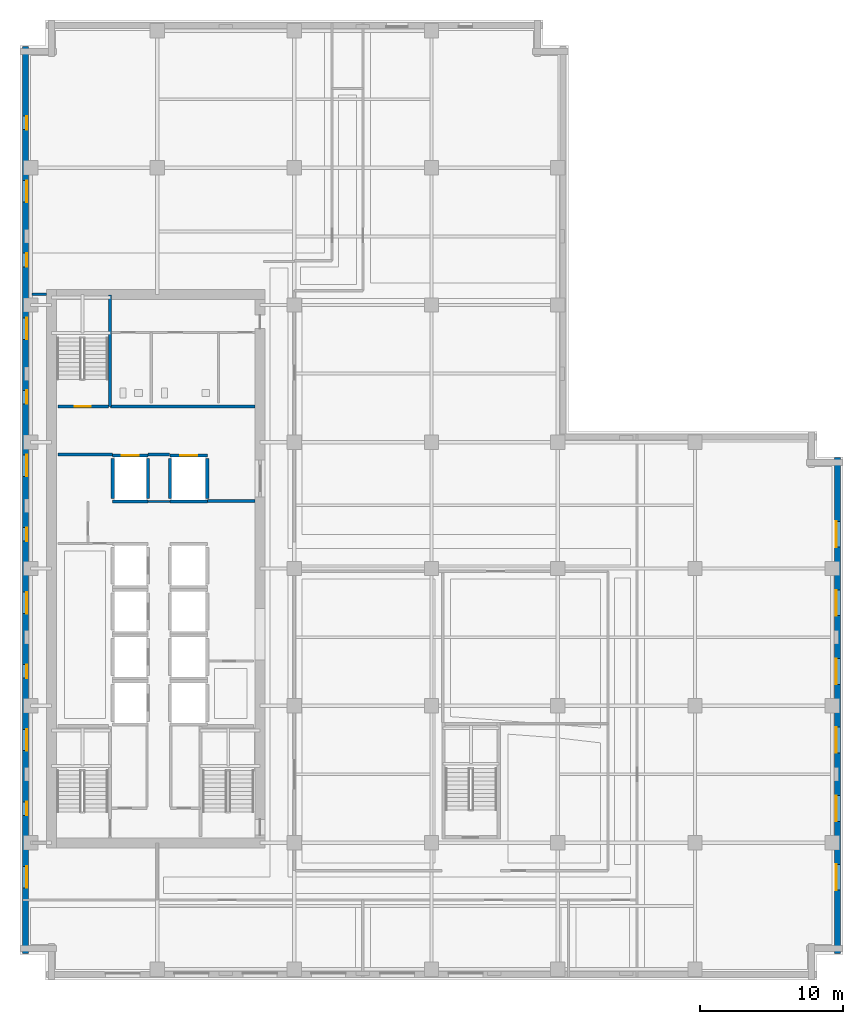
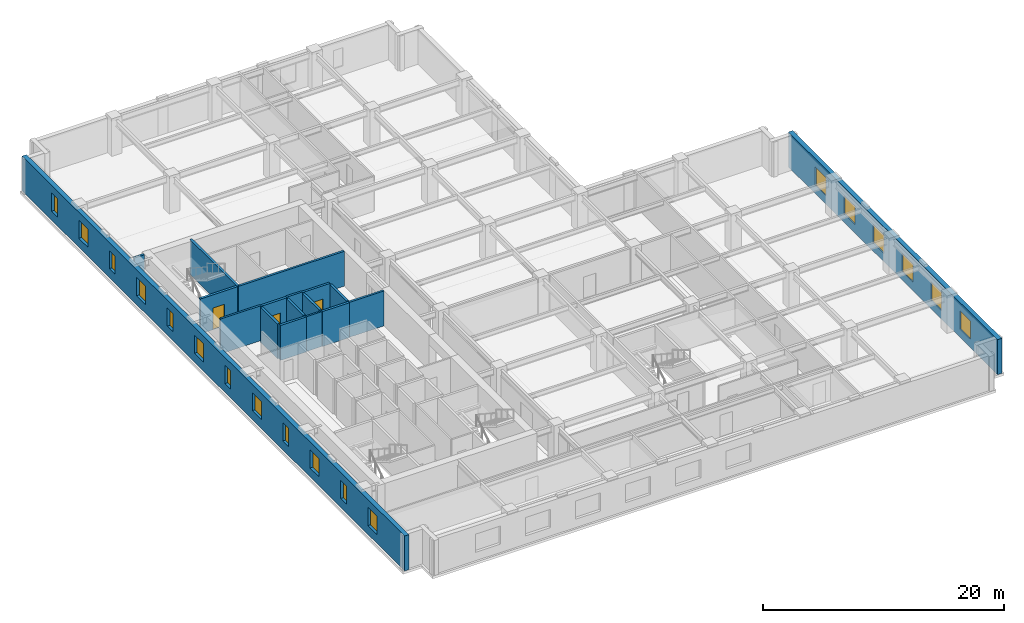
# One storey, part 6 of 13: 18 walls, 18 windows, 3 doors, 21 openings.
"""IFC4 building model written with IfcOpenShell, lengths in metres."""

from ifc_helpers import new_model, si_unit, direction, frame, frame_2d, origin, place, context, subcontext, project, spatial, rectangle, extrude, material, layer, layer_set, type_object, element, fill, save


model = new_model("IFC4")

# Units and contexts
model_context = context("Model", 3, precision=1e-05, world=origin(), true_north=direction((0.0, 1.0)))
body_context = subcontext(model_context, "Body", "Model", "MODEL_VIEW")
ifc_project = project(units=[si_unit("LENGTHUNIT", "METRE"), si_unit("AREAUNIT", "SQUARE_METRE"), si_unit("VOLUMEUNIT", "CUBIC_METRE"), si_unit("PLANEANGLEUNIT", "RADIAN"), si_unit("MASSUNIT", "GRAM", prefix="KILO")], contexts=[model_context])

# Site, building, storey
site_placement = place(None, origin())
site = spatial("IfcSite", under=ifc_project, at=site_placement, CompositionType="ELEMENT")
building_placement = place(site_placement, origin())
building = spatial("IfcBuilding", under=site, at=building_placement, Name="Norrvale University Quadrangle", CompositionType="ELEMENT")
storey_placement = place(building_placement, frame((0.0, 0.0, 131.800048828125)))
storey = spatial("IfcBuildingStorey", under=building, at=storey_placement, Name="L33", CompositionType="ELEMENT", Elevation=131.800048828125)

# Wall, openings, windows
ifc_material_1 = material(Name="Buff Norman Clay Brick Masonry", Category="masonry")
ifc_layer_1 = layer(ifc_material_1, 0.419921875, Name="Buff Norman Clay Brick Masonry")
ifc_layer_set_1 = layer_set([ifc_layer_1], Name="Buff Norman Clay Brick Masonry")
wall_type_1 = type_object("IfcWallType", Name="Wall Buff Brick 420", PredefinedType="SOLIDWALL", material=ifc_layer_set_1)
wall_1_placement = place(storey_placement, frame((57.2099609375, 1.840087890625, 0.0), z_axis=(0.0, 0.0, 1.0), x_axis=(0.0, 1.0, 0.0)))
wall_1 = element("IfcWall", 1, at=wall_1_placement, inside=storey, type_object=wall_type_1, Name="Exterior Brick Facade Wall L33-04.1", PredefinedType="SOLIDWALL", context=body_context, shape_type="SweptSolid", body=[
    extrude(rectangle(XDim=34.719970703125, YDim=0.419921875, at=frame_2d((17.35986328125, 0.0))), origin(), (0.0, 0.0, 1.0), 3.5400390625),
])
opening_1_placement = place(wall_1_placement, frame((4.4599609375, 0.0, 0.85009765625)))
opening_1 = element("IfcOpeningElement", 2, at=opening_1_placement, cuts=wall_1, Name="Opening W01", PredefinedType="OPENING", context=body_context, shape_type="SweptSolid", body=[
    extrude(rectangle(XDim=1.800048828125, YDim=1.85009765625, at=frame_2d((0.89990234375, 0.925048828125))), frame((0.0, 0.221923828125, 0.0), z_axis=(0.0, -1.0, 0.0), x_axis=(1.0, 0.0, 0.0)), (0.0, 0.0, 1.0), 0.44384765625),
])
opening_2_placement = place(wall_1_placement, frame((9.260009765625, 0.0, 0.85009765625)))
opening_2 = element("IfcOpeningElement", 3, at=opening_2_placement, cuts=wall_1, Name="Opening W01", PredefinedType="OPENING", context=body_context, shape_type="SweptSolid", body=[
    extrude(rectangle(XDim=1.800048828125, YDim=1.85009765625, at=frame_2d((0.89990234375, 0.925048828125))), frame((0.0, 0.221923828125, 0.0), z_axis=(0.0, -1.0, 0.0), x_axis=(1.0, 0.0, 0.0)), (0.0, 0.0, 1.0), 0.44384765625),
])
opening_3_placement = place(wall_1_placement, frame((14.06005859375, 0.0, 0.85009765625)))
opening_3 = element("IfcOpeningElement", 4, at=opening_3_placement, cuts=wall_1, Name="Opening W01", PredefinedType="OPENING", context=body_context, shape_type="SweptSolid", body=[
    extrude(rectangle(XDim=1.800048828125, YDim=1.85009765625, at=frame_2d((0.89990234375, 0.925048828125))), frame((0.0, 0.221923828125, 0.0), z_axis=(0.0, -1.0, 0.0), x_axis=(1.0, 0.0, 0.0)), (0.0, 0.0, 1.0), 0.44384765625),
])
opening_4_placement = place(wall_1_placement, frame((18.860107421875, 0.0, 0.85009765625)))
opening_4 = element("IfcOpeningElement", 5, at=opening_4_placement, cuts=wall_1, Name="Opening W01", PredefinedType="OPENING", context=body_context, shape_type="SweptSolid", body=[
    extrude(rectangle(XDim=1.800048828125, YDim=1.85009765625, at=frame_2d((0.89990234375, 0.925048828125))), frame((0.0, 0.221923828125, 0.0), z_axis=(0.0, -1.0, 0.0), x_axis=(1.0, 0.0, 0.0)), (0.0, 0.0, 1.0), 0.44384765625),
])
opening_5_placement = place(wall_1_placement, frame((23.659912109375, 0.0, 0.85009765625)))
opening_5 = element("IfcOpeningElement", 6, at=opening_5_placement, cuts=wall_1, Name="Opening W01", PredefinedType="OPENING", context=body_context, shape_type="SweptSolid", body=[
    extrude(rectangle(XDim=1.800048828125, YDim=1.85009765625, at=frame_2d((0.89990234375, 0.925048828125))), frame((0.0, 0.221923828125, 0.0), z_axis=(0.0, -1.0, 0.0), x_axis=(1.0, 0.0, 0.0)), (0.0, 0.0, 1.0), 0.44384765625),
])
opening_6_placement = place(wall_1_placement, frame((28.4599609375, 0.0, 0.85009765625)))
opening_6 = element("IfcOpeningElement", 7, at=opening_6_placement, cuts=wall_1, Name="Opening W01", PredefinedType="OPENING", context=body_context, shape_type="SweptSolid", body=[
    extrude(rectangle(XDim=1.800048828125, YDim=1.85009765625, at=frame_2d((0.89990234375, 0.925048828125))), frame((0.0, 0.221923828125, 0.0), z_axis=(0.0, -1.0, 0.0), x_axis=(1.0, 0.0, 0.0)), (0.0, 0.0, 1.0), 0.44384765625),
])
ifc_material_2 = material(Name="Triple Low-E Argon Glazing", Category="glass")
window_type_1 = type_object("IfcWindowType", Name="Window Academic 1800x2300", PartitioningType="DOUBLE_PANEL_VERTICAL", PredefinedType="WINDOW", material=ifc_material_2)
window_1_placement = place(opening_1_placement, origin())
window_1 = element("IfcWindow", 8, at=window_1_placement, inside=storey, type_object=window_type_1, Name="Window Academic 1800x2300 WIN-L33-E04-1-01", OverallHeight=1.85009765625, OverallWidth=1.800048828125, PartitioningType="DOUBLE_PANEL_VERTICAL", PredefinedType="WINDOW", context=body_context, shape_type="SweptSolid", body=[
    extrude(rectangle(XDim=1.800048828125, YDim=1.85009765625, at=frame_2d((0.89990234375, 0.925048828125))), frame((0.0, 0.110107421875, 0.0), z_axis=(0.0, -1.0, 0.0), x_axis=(1.0, 0.0, 0.0)), (0.0, 0.0, 1.0), 0.06005859375),
])
fill(opening_1, window_1)
window_2_placement = place(opening_2_placement, origin())
window_2 = element("IfcWindow", 9, at=window_2_placement, inside=storey, type_object=window_type_1, Name="Window Academic 1800x2300 WIN-L33-E04-1-02", OverallHeight=1.85009765625, OverallWidth=1.800048828125, PartitioningType="DOUBLE_PANEL_VERTICAL", PredefinedType="WINDOW", context=body_context, shape_type="SweptSolid", body=[
    extrude(rectangle(XDim=1.800048828125, YDim=1.85009765625, at=frame_2d((0.89990234375, 0.925048828125))), frame((0.0, 0.110107421875, 0.0), z_axis=(0.0, -1.0, 0.0), x_axis=(1.0, 0.0, 0.0)), (0.0, 0.0, 1.0), 0.06005859375),
])
fill(opening_2, window_2)
window_3_placement = place(opening_3_placement, origin())
window_3 = element("IfcWindow", 10, at=window_3_placement, inside=storey, type_object=window_type_1, Name="Window Academic 1800x2300 WIN-L33-E04-1-03", OverallHeight=1.85009765625, OverallWidth=1.800048828125, PartitioningType="DOUBLE_PANEL_VERTICAL", PredefinedType="WINDOW", context=body_context, shape_type="SweptSolid", body=[
    extrude(rectangle(XDim=1.800048828125, YDim=1.85009765625, at=frame_2d((0.89990234375, 0.925048828125))), frame((0.0, 0.110107421875, 0.0), z_axis=(0.0, -1.0, 0.0), x_axis=(1.0, 0.0, 0.0)), (0.0, 0.0, 1.0), 0.06005859375),
])
fill(opening_3, window_3)
window_4_placement = place(opening_4_placement, origin())
window_4 = element("IfcWindow", 11, at=window_4_placement, inside=storey, type_object=window_type_1, Name="Window Academic 1800x2300 WIN-L33-E04-1-04", OverallHeight=1.85009765625, OverallWidth=1.800048828125, PartitioningType="DOUBLE_PANEL_VERTICAL", PredefinedType="WINDOW", context=body_context, shape_type="SweptSolid", body=[
    extrude(rectangle(XDim=1.800048828125, YDim=1.85009765625, at=frame_2d((0.89990234375, 0.925048828125))), frame((0.0, 0.110107421875, 0.0), z_axis=(0.0, -1.0, 0.0), x_axis=(1.0, 0.0, 0.0)), (0.0, 0.0, 1.0), 0.06005859375),
])
fill(opening_4, window_4)
window_5_placement = place(opening_5_placement, origin())
window_5 = element("IfcWindow", 12, at=window_5_placement, inside=storey, type_object=window_type_1, Name="Window Academic 1800x2300 WIN-L33-E04-1-05", OverallHeight=1.85009765625, OverallWidth=1.800048828125, PartitioningType="DOUBLE_PANEL_VERTICAL", PredefinedType="WINDOW", context=body_context, shape_type="SweptSolid", body=[
    extrude(rectangle(XDim=1.800048828125, YDim=1.85009765625, at=frame_2d((0.89990234375, 0.925048828125))), frame((0.0, 0.110107421875, 0.0), z_axis=(0.0, -1.0, 0.0), x_axis=(1.0, 0.0, 0.0)), (0.0, 0.0, 1.0), 0.06005859375),
])
fill(opening_5, window_5)
window_6_placement = place(opening_6_placement, origin())
window_6 = element("IfcWindow", 13, at=window_6_placement, inside=storey, type_object=window_type_1, Name="Window Academic 1800x2300 WIN-L33-E04-1-06", OverallHeight=1.85009765625, OverallWidth=1.800048828125, PartitioningType="DOUBLE_PANEL_VERTICAL", PredefinedType="WINDOW", context=body_context, shape_type="SweptSolid", body=[
    extrude(rectangle(XDim=1.800048828125, YDim=1.85009765625, at=frame_2d((0.89990234375, 0.925048828125))), frame((0.0, 0.110107421875, 0.0), z_axis=(0.0, -1.0, 0.0), x_axis=(1.0, 0.0, 0.0)), (0.0, 0.0, 1.0), 0.06005859375),
])
fill(opening_6, window_6)

wall_2_placement = place(storey_placement, frame((0.389892578125, 65.360107421875, 0.0), z_axis=(0.0, 0.0, 1.0), x_axis=(0.0, -1.0, 0.0)))
wall_2 = element("IfcWall", 14, at=wall_2_placement, inside=storey, type_object=wall_type_1, Name="Exterior Brick Facade Wall L33-14.1", PredefinedType="SOLIDWALL", context=body_context, shape_type="SweptSolid", body=[
    extrude(rectangle(XDim=63.52001953125, YDim=0.419921875, at=frame_2d((31.760009765625, 0.0))), origin(), (0.0, 0.0, 1.0), 3.5400390625),
])
opening_7_placement = place(wall_2_placement, frame((4.885009765625, 0.0, 0.89990234375)))
opening_7 = element("IfcOpeningElement", 15, at=opening_7_placement, cuts=wall_2, Name="Opening W04", PredefinedType="OPENING", context=body_context, shape_type="SweptSolid", body=[
    extrude(rectangle(XDim=0.949951171875, YDim=1.85009765625, at=frame_2d((0.47509765625, 0.925048828125))), frame((0.0, 0.221923828125, 0.0), z_axis=(0.0, -1.0, 0.0), x_axis=(1.0, 0.0, 0.0)), (0.0, 0.0, 1.0), 0.44384765625),
])
opening_8_placement = place(wall_2_placement, frame((9.409912109375, 0.0, 0.89990234375)))
opening_8 = element("IfcOpeningElement", 16, at=opening_8_placement, cuts=wall_2, Name="Opening W03", PredefinedType="OPENING", context=body_context, shape_type="SweptSolid", body=[
    extrude(rectangle(XDim=1.5, YDim=1.85009765625, at=frame_2d((0.75, 0.925048828125))), frame((0.0, 0.221923828125, 0.0), z_axis=(0.0, -1.0, 0.0), x_axis=(1.0, 0.0, 0.0)), (0.0, 0.0, 1.0), 0.44384765625),
])
opening_9_placement = place(wall_2_placement, frame((14.485107421875, 0.0, 0.89990234375)))
opening_9 = element("IfcOpeningElement", 17, at=opening_9_placement, cuts=wall_2, Name="Opening W04", PredefinedType="OPENING", context=body_context, shape_type="SweptSolid", body=[
    extrude(rectangle(XDim=0.949951171875, YDim=1.85009765625, at=frame_2d((0.47509765625, 0.925048828125))), frame((0.0, 0.221923828125, 0.0), z_axis=(0.0, -1.0, 0.0), x_axis=(1.0, 0.0, 0.0)), (0.0, 0.0, 1.0), 0.44384765625),
])
opening_10_placement = place(wall_2_placement, frame((19.010009765625, 0.0, 0.89990234375)))
opening_10 = element("IfcOpeningElement", 18, at=opening_10_placement, cuts=wall_2, Name="Opening W03", PredefinedType="OPENING", context=body_context, shape_type="SweptSolid", body=[
    extrude(rectangle(XDim=1.5, YDim=1.85009765625, at=frame_2d((0.75, 0.925048828125))), frame((0.0, 0.221923828125, 0.0), z_axis=(0.0, -1.0, 0.0), x_axis=(1.0, 0.0, 0.0)), (0.0, 0.0, 1.0), 0.44384765625),
])
opening_11_placement = place(wall_2_placement, frame((24.0849609375, 0.0, 0.89990234375)))
opening_11 = element("IfcOpeningElement", 19, at=opening_11_placement, cuts=wall_2, Name="Opening W04", PredefinedType="OPENING", context=body_context, shape_type="SweptSolid", body=[
    extrude(rectangle(XDim=0.949951171875, YDim=1.85009765625, at=frame_2d((0.47509765625, 0.925048828125))), frame((0.0, 0.221923828125, 0.0), z_axis=(0.0, -1.0, 0.0), x_axis=(1.0, 0.0, 0.0)), (0.0, 0.0, 1.0), 0.44384765625),
])
opening_12_placement = place(wall_2_placement, frame((28.610107421875, 0.0, 0.89990234375)))
opening_12 = element("IfcOpeningElement", 20, at=opening_12_placement, cuts=wall_2, Name="Opening W03", PredefinedType="OPENING", context=body_context, shape_type="SweptSolid", body=[
    extrude(rectangle(XDim=1.5, YDim=1.85009765625, at=frame_2d((0.75, 0.925048828125))), frame((0.0, 0.221923828125, 0.0), z_axis=(0.0, -1.0, 0.0), x_axis=(1.0, 0.0, 0.0)), (0.0, 0.0, 1.0), 0.44384765625),
])
opening_13_placement = place(wall_2_placement, frame((33.68505859375, 0.0, 0.89990234375)))
opening_13 = element("IfcOpeningElement", 21, at=opening_13_placement, cuts=wall_2, Name="Opening W04", PredefinedType="OPENING", context=body_context, shape_type="SweptSolid", body=[
    extrude(rectangle(XDim=0.949951171875, YDim=1.85009765625, at=frame_2d((0.47509765625, 0.925048828125))), frame((0.0, 0.221923828125, 0.0), z_axis=(0.0, -1.0, 0.0), x_axis=(1.0, 0.0, 0.0)), (0.0, 0.0, 1.0), 0.44384765625),
])
opening_14_placement = place(wall_2_placement, frame((38.2099609375, 0.0, 0.89990234375)))
opening_14 = element("IfcOpeningElement", 22, at=opening_14_placement, cuts=wall_2, Name="Opening W03", PredefinedType="OPENING", context=body_context, shape_type="SweptSolid", body=[
    extrude(rectangle(XDim=1.5, YDim=1.85009765625, at=frame_2d((0.75, 0.925048828125))), frame((0.0, 0.221923828125, 0.0), z_axis=(0.0, -1.0, 0.0), x_axis=(1.0, 0.0, 0.0)), (0.0, 0.0, 1.0), 0.44384765625),
])
opening_15_placement = place(wall_2_placement, frame((43.284912109375, 0.0, 0.89990234375)))
opening_15 = element("IfcOpeningElement", 23, at=opening_15_placement, cuts=wall_2, Name="Opening W04", PredefinedType="OPENING", context=body_context, shape_type="SweptSolid", body=[
    extrude(rectangle(XDim=0.949951171875, YDim=1.85009765625, at=frame_2d((0.47509765625, 0.925048828125))), frame((0.0, 0.221923828125, 0.0), z_axis=(0.0, -1.0, 0.0), x_axis=(1.0, 0.0, 0.0)), (0.0, 0.0, 1.0), 0.44384765625),
])
opening_16_placement = place(wall_2_placement, frame((47.81005859375, 0.0, 0.89990234375)))
opening_16 = element("IfcOpeningElement", 24, at=opening_16_placement, cuts=wall_2, Name="Opening W03", PredefinedType="OPENING", context=body_context, shape_type="SweptSolid", body=[
    extrude(rectangle(XDim=1.5, YDim=1.85009765625, at=frame_2d((0.75, 0.925048828125))), frame((0.0, 0.221923828125, 0.0), z_axis=(0.0, -1.0, 0.0), x_axis=(1.0, 0.0, 0.0)), (0.0, 0.0, 1.0), 0.44384765625),
])
opening_17_placement = place(wall_2_placement, frame((52.885009765625, 0.0, 0.89990234375)))
opening_17 = element("IfcOpeningElement", 25, at=opening_17_placement, cuts=wall_2, Name="Opening W04", PredefinedType="OPENING", context=body_context, shape_type="SweptSolid", body=[
    extrude(rectangle(XDim=0.949951171875, YDim=1.85009765625, at=frame_2d((0.47509765625, 0.925048828125))), frame((0.0, 0.221923828125, 0.0), z_axis=(0.0, -1.0, 0.0), x_axis=(1.0, 0.0, 0.0)), (0.0, 0.0, 1.0), 0.44384765625),
])
opening_18_placement = place(wall_2_placement, frame((57.409912109375, 0.0, 0.89990234375)))
opening_18 = element("IfcOpeningElement", 26, at=opening_18_placement, cuts=wall_2, Name="Opening W03", PredefinedType="OPENING", context=body_context, shape_type="SweptSolid", body=[
    extrude(rectangle(XDim=1.5, YDim=1.85009765625, at=frame_2d((0.75, 0.925048828125))), frame((0.0, 0.221923828125, 0.0), z_axis=(0.0, -1.0, 0.0), x_axis=(1.0, 0.0, 0.0)), (0.0, 0.0, 1.0), 0.44384765625),
])
window_type_2 = type_object("IfcWindowType", Name="Window Narrow Pier 950x2300", PartitioningType="SINGLE_PANEL", PredefinedType="WINDOW", material=ifc_material_2)
window_7_placement = place(opening_7_placement, origin())
window_7 = element("IfcWindow", 27, at=window_7_placement, inside=storey, type_object=window_type_2, Name="Window Narrow Pier 950x2300 WIN-L33-E14-1-01", OverallHeight=1.85009765625, OverallWidth=0.949951171875, PartitioningType="SINGLE_PANEL", PredefinedType="WINDOW", context=body_context, shape_type="SweptSolid", body=[
    extrude(rectangle(XDim=0.949951171875, YDim=1.85009765625, at=frame_2d((0.47509765625, 0.925048828125))), frame((0.0, 0.110107421875, 0.0), z_axis=(0.0, -1.0, 0.0), x_axis=(1.0, 0.0, 0.0)), (0.0, 0.0, 1.0), 0.06005859375),
])
fill(opening_7, window_7)
window_8_placement = place(opening_9_placement, origin())
window_8 = element("IfcWindow", 28, at=window_8_placement, inside=storey, type_object=window_type_2, Name="Window Narrow Pier 950x2300 WIN-L33-E14-1-03", OverallHeight=1.85009765625, OverallWidth=0.949951171875, PartitioningType="SINGLE_PANEL", PredefinedType="WINDOW", context=body_context, shape_type="SweptSolid", body=[
    extrude(rectangle(XDim=0.949951171875, YDim=1.85009765625, at=frame_2d((0.47509765625, 0.925048828125))), frame((0.0, 0.110107421875, 0.0), z_axis=(0.0, -1.0, 0.0), x_axis=(1.0, 0.0, 0.0)), (0.0, 0.0, 1.0), 0.06005859375),
])
fill(opening_9, window_8)
window_9_placement = place(opening_11_placement, origin())
window_9 = element("IfcWindow", 29, at=window_9_placement, inside=storey, type_object=window_type_2, Name="Window Narrow Pier 950x2300 WIN-L33-E14-1-05", OverallHeight=1.85009765625, OverallWidth=0.949951171875, PartitioningType="SINGLE_PANEL", PredefinedType="WINDOW", context=body_context, shape_type="SweptSolid", body=[
    extrude(rectangle(XDim=0.949951171875, YDim=1.85009765625, at=frame_2d((0.47509765625, 0.925048828125))), frame((0.0, 0.110107421875, 0.0), z_axis=(0.0, -1.0, 0.0), x_axis=(1.0, 0.0, 0.0)), (0.0, 0.0, 1.0), 0.06005859375),
])
fill(opening_11, window_9)
window_10_placement = place(opening_13_placement, origin())
window_10 = element("IfcWindow", 30, at=window_10_placement, inside=storey, type_object=window_type_2, Name="Window Narrow Pier 950x2300 WIN-L33-E14-1-07", OverallHeight=1.85009765625, OverallWidth=0.949951171875, PartitioningType="SINGLE_PANEL", PredefinedType="WINDOW", context=body_context, shape_type="SweptSolid", body=[
    extrude(rectangle(XDim=0.949951171875, YDim=1.85009765625, at=frame_2d((0.47509765625, 0.925048828125))), frame((0.0, 0.110107421875, 0.0), z_axis=(0.0, -1.0, 0.0), x_axis=(1.0, 0.0, 0.0)), (0.0, 0.0, 1.0), 0.06005859375),
])
fill(opening_13, window_10)
window_11_placement = place(opening_15_placement, origin())
window_11 = element("IfcWindow", 31, at=window_11_placement, inside=storey, type_object=window_type_2, Name="Window Narrow Pier 950x2300 WIN-L33-E14-1-09", OverallHeight=1.85009765625, OverallWidth=0.949951171875, PartitioningType="SINGLE_PANEL", PredefinedType="WINDOW", context=body_context, shape_type="SweptSolid", body=[
    extrude(rectangle(XDim=0.949951171875, YDim=1.85009765625, at=frame_2d((0.47509765625, 0.925048828125))), frame((0.0, 0.110107421875, 0.0), z_axis=(0.0, -1.0, 0.0), x_axis=(1.0, 0.0, 0.0)), (0.0, 0.0, 1.0), 0.06005859375),
])
fill(opening_15, window_11)
window_12_placement = place(opening_17_placement, origin())
window_12 = element("IfcWindow", 32, at=window_12_placement, inside=storey, type_object=window_type_2, Name="Window Narrow Pier 950x2300 WIN-L33-E14-1-11", OverallHeight=1.85009765625, OverallWidth=0.949951171875, PartitioningType="SINGLE_PANEL", PredefinedType="WINDOW", context=body_context, shape_type="SweptSolid", body=[
    extrude(rectangle(XDim=0.949951171875, YDim=1.85009765625, at=frame_2d((0.47509765625, 0.925048828125))), frame((0.0, 0.110107421875, 0.0), z_axis=(0.0, -1.0, 0.0), x_axis=(1.0, 0.0, 0.0)), (0.0, 0.0, 1.0), 0.06005859375),
])
fill(opening_17, window_12)
window_type_3 = type_object("IfcWindowType", Name="Window Studio 1500x2300", PartitioningType="DOUBLE_PANEL_VERTICAL", PredefinedType="WINDOW", material=ifc_material_2)
window_13_placement = place(opening_8_placement, origin())
window_13 = element("IfcWindow", 33, at=window_13_placement, inside=storey, type_object=window_type_3, Name="Window Studio 1500x2300 WIN-L33-E14-1-02", OverallHeight=1.85009765625, OverallWidth=1.5, PartitioningType="DOUBLE_PANEL_VERTICAL", PredefinedType="WINDOW", context=body_context, shape_type="SweptSolid", body=[
    extrude(rectangle(XDim=1.5, YDim=1.85009765625, at=frame_2d((0.75, 0.925048828125))), frame((0.0, 0.110107421875, 0.0), z_axis=(0.0, -1.0, 0.0), x_axis=(1.0, 0.0, 0.0)), (0.0, 0.0, 1.0), 0.06005859375),
])
fill(opening_8, window_13)
window_14_placement = place(opening_10_placement, origin())
window_14 = element("IfcWindow", 34, at=window_14_placement, inside=storey, type_object=window_type_3, Name="Window Studio 1500x2300 WIN-L33-E14-1-04", OverallHeight=1.85009765625, OverallWidth=1.5, PartitioningType="DOUBLE_PANEL_VERTICAL", PredefinedType="WINDOW", context=body_context, shape_type="SweptSolid", body=[
    extrude(rectangle(XDim=1.5, YDim=1.85009765625, at=frame_2d((0.75, 0.925048828125))), frame((0.0, 0.110107421875, 0.0), z_axis=(0.0, -1.0, 0.0), x_axis=(1.0, 0.0, 0.0)), (0.0, 0.0, 1.0), 0.06005859375),
])
fill(opening_10, window_14)
window_15_placement = place(opening_12_placement, origin())
window_15 = element("IfcWindow", 35, at=window_15_placement, inside=storey, type_object=window_type_3, Name="Window Studio 1500x2300 WIN-L33-E14-1-06", OverallHeight=1.85009765625, OverallWidth=1.5, PartitioningType="DOUBLE_PANEL_VERTICAL", PredefinedType="WINDOW", context=body_context, shape_type="SweptSolid", body=[
    extrude(rectangle(XDim=1.5, YDim=1.85009765625, at=frame_2d((0.75, 0.925048828125))), frame((0.0, 0.110107421875, 0.0), z_axis=(0.0, -1.0, 0.0), x_axis=(1.0, 0.0, 0.0)), (0.0, 0.0, 1.0), 0.06005859375),
])
fill(opening_12, window_15)
window_16_placement = place(opening_14_placement, origin())
window_16 = element("IfcWindow", 36, at=window_16_placement, inside=storey, type_object=window_type_3, Name="Window Studio 1500x2300 WIN-L33-E14-1-08", OverallHeight=1.85009765625, OverallWidth=1.5, PartitioningType="DOUBLE_PANEL_VERTICAL", PredefinedType="WINDOW", context=body_context, shape_type="SweptSolid", body=[
    extrude(rectangle(XDim=1.5, YDim=1.85009765625, at=frame_2d((0.75, 0.925048828125))), frame((0.0, 0.110107421875, 0.0), z_axis=(0.0, -1.0, 0.0), x_axis=(1.0, 0.0, 0.0)), (0.0, 0.0, 1.0), 0.06005859375),
])
fill(opening_14, window_16)
window_17_placement = place(opening_16_placement, origin())
window_17 = element("IfcWindow", 37, at=window_17_placement, inside=storey, type_object=window_type_3, Name="Window Studio 1500x2300 WIN-L33-E14-1-10", OverallHeight=1.85009765625, OverallWidth=1.5, PartitioningType="DOUBLE_PANEL_VERTICAL", PredefinedType="WINDOW", context=body_context, shape_type="SweptSolid", body=[
    extrude(rectangle(XDim=1.5, YDim=1.85009765625, at=frame_2d((0.75, 0.925048828125))), frame((0.0, 0.110107421875, 0.0), z_axis=(0.0, -1.0, 0.0), x_axis=(1.0, 0.0, 0.0)), (0.0, 0.0, 1.0), 0.06005859375),
])
fill(opening_16, window_17)
window_18_placement = place(opening_18_placement, origin())
window_18 = element("IfcWindow", 38, at=window_18_placement, inside=storey, type_object=window_type_3, Name="Window Studio 1500x2300 WIN-L33-E14-1-12", OverallHeight=1.85009765625, OverallWidth=1.5, PartitioningType="DOUBLE_PANEL_VERTICAL", PredefinedType="WINDOW", context=body_context, shape_type="SweptSolid", body=[
    extrude(rectangle(XDim=1.5, YDim=1.85009765625, at=frame_2d((0.75, 0.925048828125))), frame((0.0, 0.110107421875, 0.0), z_axis=(0.0, -1.0, 0.0), x_axis=(1.0, 0.0, 0.0)), (0.0, 0.0, 1.0), 0.06005859375),
])
fill(opening_18, window_18)

# Walls
ifc_material_3 = material(Name="Fire-Rated Gypsum Stud Partition")
ifc_layer_2 = layer(ifc_material_3, 0.14990234375, Name="Fire-Rated Gypsum Stud Partition")
ifc_layer_set_2 = layer_set([ifc_layer_2], Name="Fire-Rated Gypsum Stud Partition")
wall_type_2 = type_object("IfcWallType", Name="Wall Gypsum Corridor 150", PredefinedType="PARTITIONING", material=ifc_layer_set_2)
wall_3_placement = place(storey_placement, frame((8.965087890625, 33.489990234375, 0.0), z_axis=(0.0, 0.0, 1.0), x_axis=(1.0, 0.0, 0.0)))
element("IfcWall", 39, at=wall_3_placement, inside=storey, type_object=wall_type_2, Name="Interior Partition WL-L33-LL3", PredefinedType="PARTITIONING", context=body_context, shape_type="SweptSolid", body=[
    extrude(rectangle(XDim=1.52001953125, YDim=0.14990234375, at=frame_2d((0.760009765625, 0.0))), origin(), (0.0, 0.0, 1.0), 3.5400390625),
])
ifc_material_4 = material(Name="Concrete Blockwork 20 MPa Rated Wall", Category="masonry")
ifc_layer_3 = layer(ifc_material_4, 0.199951171875, Name="Concrete Blockwork 20 MPa Rated Wall")
ifc_layer_set_3 = layer_set([ifc_layer_3], Name="Concrete Blockwork 20 MPa Rated Wall")
wall_type_3 = type_object("IfcWallType", Name="Wall Lobby 200", PredefinedType="SOLIDWALL", material=ifc_layer_set_3)
wall_4_placement = place(storey_placement, frame((2.64990234375, 36.780029296875, 0.0), z_axis=(0.0, 0.0, 1.0), x_axis=(1.0, 0.0, 0.0)))
element("IfcWall", 40, at=wall_4_placement, inside=storey, type_object=wall_type_3, Name="Interior Partition WL-L33-FF1", PredefinedType="SOLIDWALL", context=body_context, shape_type="SweptSolid", body=[
    extrude(rectangle(XDim=3.830078125, YDim=0.199951171875, at=frame_2d((1.9150390625, 0.0))), origin(), (0.0, 0.0, 1.0), 3.5400390625),
])
wall_5_placement = place(storey_placement, frame((8.969970703125, 36.780029296875, 0.0), z_axis=(0.0, 0.0, 1.0), x_axis=(1.0, 0.0, 0.0)))
element("IfcWall", 41, at=wall_5_placement, inside=storey, type_object=wall_type_3, Name="Interior Partition WL-L33-FF2", PredefinedType="SOLIDWALL", context=body_context, shape_type="SweptSolid", body=[
    extrude(rectangle(XDim=1.510009765625, YDim=0.199951171875, at=frame_2d((0.7548828125, 0.0))), origin(), (0.0, 0.0, 1.0), 3.5400390625),
])
wall_6_placement = place(storey_placement, frame((13.1201171875, 33.52001953125, 0.0), z_axis=(0.0, 0.0, 1.0), x_axis=(1.0, 0.0, 0.0)))
element("IfcWall", 42, at=wall_6_placement, inside=storey, type_object=wall_type_3, Name="Interior Partition WL-L33-FF3", PredefinedType="SOLIDWALL", context=body_context, shape_type="SweptSolid", body=[
    extrude(rectangle(XDim=3.329833984375, YDim=0.199951171875, at=frame_2d((1.6650390625, 0.0))), origin(), (0.0, 0.0, 1.0), 3.5400390625),
])
wall_7_placement = place(storey_placement, frame((6.320068359375, 40.139892578125, 0.0), z_axis=(0.0, 0.0, 1.0), x_axis=(1.0, 0.0, 0.0)))
element("IfcWall", 43, at=wall_7_placement, inside=storey, type_object=wall_type_3, Name="Interior Partition WL-L33-FF4", PredefinedType="SOLIDWALL", context=body_context, shape_type="SweptSolid", body=[
    extrude(rectangle(XDim=10.1298828125, YDim=0.199951171875, at=frame_2d((5.06494140625, 0.0))), origin(), (0.0, 0.0, 1.0), 3.5400390625),
])
wall_8_placement = place(storey_placement, frame((0.85009765625, 48.0, 0.0), z_axis=(0.0, 0.0, 1.0), x_axis=(1.0, 0.0, 0.0)))
element("IfcWall", 44, at=wall_8_placement, inside=storey, type_object=wall_type_3, Name="Interior Partition WL-L33-CWRET-N", PredefinedType="SOLIDWALL", context=body_context, shape_type="SweptSolid", body=[
    extrude(rectangle(XDim=0.994873046875, YDim=0.199951171875, at=frame_2d((0.49755859375, 0.0))), origin(), (0.0, 0.0, 1.0), 3.5400390625),
])

# Wall, opening, door
ifc_material_5 = material(Name="Concrete Blockwork 20 MPa Fire Shaft", Category="masonry")
ifc_layer_4 = layer(ifc_material_5, 0.219970703125, Name="Concrete Blockwork 20 MPa Fire Shaft")
ifc_layer_set_4 = layer_set([ifc_layer_4], Name="Concrete Blockwork 20 MPa Fire Shaft")
wall_type_4 = type_object("IfcWallType", Name="Wall Shaft 220", PredefinedType="SOLIDWALL", material=ifc_layer_set_4)
wall_9_placement = place(storey_placement, frame((2.64990234375, 40.139892578125, 0.0), z_axis=(0.0, 0.0, 1.0), x_axis=(1.0, 0.0, 0.0)))
wall_9 = element("IfcWall", 45, at=wall_9_placement, inside=storey, type_object=wall_type_4, Name="Stair ST-02 South Shaft Wall L33", PredefinedType="SOLIDWALL", context=body_context, shape_type="SweptSolid", body=[
    extrude(rectangle(XDim=3.550048828125, YDim=0.219970703125, at=frame_2d((1.77490234375, 0.0))), origin(), (0.0, 0.0, 1.0), 3.5400390625),
])
opening_19_placement = place(wall_9_placement, frame((1.199951171875, 0.0, 0.0)))
opening_19 = element("IfcOpeningElement", 46, at=opening_19_placement, cuts=wall_9, Name="Opening D02", PredefinedType="OPENING", context=body_context, shape_type="SweptSolid", body=[
    extrude(rectangle(XDim=1.10009765625, YDim=2.199951171875, at=frame_2d((0.550048828125, 1.10009765625))), frame((0.0, 0.1220703125, 0.0), z_axis=(0.0, -1.0, 0.0), x_axis=(1.0, 0.0, 0.0)), (0.0, 0.0, 1.0), 0.243896484375),
])
ifc_material_6 = material(Name="Hollow Steel 350W Fire Door", Category="steel")
door_type_1 = type_object("IfcDoorType", Name="Door Stair Exit 1100x2200", OperationType="NOTDEFINED", PredefinedType="DOOR", material=ifc_material_6)
door_1_placement = place(opening_19_placement, origin())
door_1 = element("IfcDoor", 47, at=door_1_placement, inside=storey, type_object=door_type_1, Name="Door Stair Exit 1100x2200 DR-L33-ST02", OperationType="SINGLE_SWING_LEFT", OverallHeight=2.199951171875, OverallWidth=1.10009765625, PredefinedType="DOOR", context=body_context, shape_type="SweptSolid", body=[
    extrude(rectangle(XDim=1.10009765625, YDim=2.199951171875, at=frame_2d((0.550048828125, 1.10009765625))), frame((0.0, 0.02490234375, 0.0), z_axis=(0.0, -1.0, 0.0), x_axis=(1.0, 0.0, 0.0)), (0.0, 0.0, 1.0), 0.050048828125),
])
fill(opening_19, door_1)

# Walls
wall_10_placement = place(storey_placement, frame((6.31005859375, 40.139892578125, 0.0), z_axis=(0.0, 0.0, 1.0), x_axis=(0.0, 1.0, 0.0)))
element("IfcWall", 48, at=wall_10_placement, inside=storey, type_object=wall_type_4, Name="Stair ST-02 East Shaft Wall L33", PredefinedType="SOLIDWALL", context=body_context, shape_type="SweptSolid", body=[
    extrude(rectangle(XDim=7.81005859375, YDim=0.219970703125, at=frame_2d((3.905029296875, 0.0))), origin(), (0.0, 0.0, 1.0), 3.5400390625),
])
for number, where, z_axis, x_axis, name in (
    (49, (6.489990234375, 33.7099609375, 0.0), (0.0, 0.0, 1.0), (0.0, 1.0, 0.0), "Hoistway FFL-01 West Wall L33"),
    (50, (8.9599609375, 33.7099609375, 0.0), (0.0, 0.0, 1.0), (0.0, 1.0, 0.0), "Hoistway FFL-01 East Wall L33"),
):
    element("IfcWall", number, at=place(storey_placement, frame(where, z_axis=z_axis, x_axis=x_axis)), inside=storey, type_object=wall_type_4, Name=name, PredefinedType="SOLIDWALL", context=body_context, shape_type="SweptSolid", body=[
        extrude(rectangle(XDim=2.780029296875, YDim=0.219970703125, at=frame_2d((1.39013671875, 0.0))), origin(), (0.0, 0.0, 1.0), 3.5400390625),
    ])
wall_11_placement = place(storey_placement, frame((6.489990234375, 33.489990234375, 0.0), z_axis=(0.0, 0.0, 1.0), x_axis=(1.0, 0.0, 0.0)))
element("IfcWall", 51, at=wall_11_placement, inside=storey, type_object=wall_type_4, Name="Hoistway FFL-01 South Wall L33", PredefinedType="SOLIDWALL", context=body_context, shape_type="SweptSolid", body=[
    extrude(rectangle(XDim=2.469970703125, YDim=0.219970703125, at=frame_2d((1.23486328125, 0.0))), origin(), (0.0, 0.0, 1.0), 3.5400390625),
])

# Wall, opening, door
wall_12_placement = place(storey_placement, frame((6.489990234375, 36.7099609375, 0.0), z_axis=(0.0, 0.0, 1.0), x_axis=(1.0, 0.0, 0.0)))
wall_12 = element("IfcWall", 52, at=wall_12_placement, inside=storey, type_object=wall_type_4, Name="Hoistway FFL-01 North Wall L33", PredefinedType="SOLIDWALL", context=body_context, shape_type="SweptSolid", body=[
    extrude(rectangle(XDim=2.469970703125, YDim=0.219970703125, at=frame_2d((1.23486328125, 0.0))), origin(), (0.0, 0.0, 1.0), 3.5400390625),
])
opening_20_placement = place(wall_12_placement, frame((0.635009765625, 0.0, 0.0)))
opening_20 = element("IfcOpeningElement", 53, at=opening_20_placement, cuts=wall_12, Name="Opening LD2", PredefinedType="OPENING", context=body_context, shape_type="SweptSolid", body=[
    extrude(rectangle(XDim=1.199951171875, YDim=2.199951171875, at=frame_2d((0.60009765625, 1.10009765625))), frame((0.0, 0.1220703125, 0.0), z_axis=(0.0, -1.0, 0.0), x_axis=(1.0, 0.0, 0.0)), (0.0, 0.0, 1.0), 0.243896484375),
])
ifc_material_7 = material(Name="Stainless Steel 316L Firefighter Lift Door", Category="steel")
door_type_2 = type_object("IfcDoorType", Name="Door Fire Lift 1200x2200", OperationType="DOUBLE_DOOR_SLIDING", PredefinedType="DOOR", material=ifc_material_7)
door_2_placement = place(opening_20_placement, origin())
door_2 = element("IfcDoor", 54, at=door_2_placement, inside=storey, type_object=door_type_2, Name="Elevator Landing Door DR-L33-FFL-01", OperationType="DOUBLE_DOOR_SLIDING", OverallHeight=2.199951171875, OverallWidth=1.199951171875, PredefinedType="DOOR", context=body_context, shape_type="SweptSolid", body=[
    extrude(rectangle(XDim=1.199951171875, YDim=2.199951171875, at=frame_2d((0.60009765625, 1.10009765625))), frame((0.0, 0.02490234375, 0.0), z_axis=(0.0, -1.0, 0.0), x_axis=(1.0, 0.0, 0.0)), (0.0, 0.0, 1.0), 0.050048828125),
])
fill(opening_20, door_2)

# Walls
for number, where, z_axis, x_axis, name in (
    (55, (10.489990234375, 33.7099609375, 0.0), (0.0, 0.0, 1.0), (0.0, 1.0, 0.0), "Hoistway FFL-02 West Wall L33"),
    (56, (13.110107421875, 33.7099609375, 0.0), (0.0, 0.0, 1.0), (0.0, 1.0, 0.0), "Hoistway FFL-02 East Wall L33"),
):
    element("IfcWall", number, at=place(storey_placement, frame(where, z_axis=z_axis, x_axis=x_axis)), inside=storey, type_object=wall_type_4, Name=name, PredefinedType="SOLIDWALL", context=body_context, shape_type="SweptSolid", body=[
        extrude(rectangle(XDim=2.780029296875, YDim=0.219970703125, at=frame_2d((1.39013671875, 0.0))), origin(), (0.0, 0.0, 1.0), 3.5400390625),
    ])
wall_13_placement = place(storey_placement, frame((10.489990234375, 33.489990234375, 0.0), z_axis=(0.0, 0.0, 1.0), x_axis=(1.0, 0.0, 0.0)))
element("IfcWall", 57, at=wall_13_placement, inside=storey, type_object=wall_type_4, Name="Hoistway FFL-02 South Wall L33", PredefinedType="SOLIDWALL", context=body_context, shape_type="SweptSolid", body=[
    extrude(rectangle(XDim=2.6201171875, YDim=0.219970703125, at=frame_2d((1.31005859375, 0.0))), origin(), (0.0, 0.0, 1.0), 3.5400390625),
])

# Wall, opening, door
wall_14_placement = place(storey_placement, frame((10.489990234375, 36.7099609375, 0.0), z_axis=(0.0, 0.0, 1.0), x_axis=(1.0, 0.0, 0.0)))
wall_14 = element("IfcWall", 58, at=wall_14_placement, inside=storey, type_object=wall_type_4, Name="Hoistway FFL-02 North Wall L33", PredefinedType="SOLIDWALL", context=body_context, shape_type="SweptSolid", body=[
    extrude(rectangle(XDim=2.6201171875, YDim=0.219970703125, at=frame_2d((1.31005859375, 0.0))), origin(), (0.0, 0.0, 1.0), 3.5400390625),
])
opening_21_placement = place(wall_14_placement, frame((0.7099609375, 0.0, 0.0)))
opening_21 = element("IfcOpeningElement", 59, at=opening_21_placement, cuts=wall_14, Name="Opening LD2", PredefinedType="OPENING", context=body_context, shape_type="SweptSolid", body=[
    extrude(rectangle(XDim=1.199951171875, YDim=2.199951171875, at=frame_2d((0.60009765625, 1.10009765625))), frame((0.0, 0.1220703125, 0.0), z_axis=(0.0, -1.0, 0.0), x_axis=(1.0, 0.0, 0.0)), (0.0, 0.0, 1.0), 0.243896484375),
])
door_3_placement = place(opening_21_placement, origin())
door_3 = element("IfcDoor", 60, at=door_3_placement, inside=storey, type_object=door_type_2, Name="Elevator Landing Door DR-L33-FFL-02", OperationType="DOUBLE_DOOR_SLIDING", OverallHeight=2.199951171875, OverallWidth=1.199951171875, PredefinedType="DOOR", context=body_context, shape_type="SweptSolid", body=[
    extrude(rectangle(XDim=1.199951171875, YDim=2.199951171875, at=frame_2d((0.60009765625, 1.10009765625))), frame((0.0, 0.02490234375, 0.0), z_axis=(0.0, -1.0, 0.0), x_axis=(1.0, 0.0, 0.0)), (0.0, 0.0, 1.0), 0.050048828125),
])
fill(opening_21, door_3)

save(model, "model.ifc")
